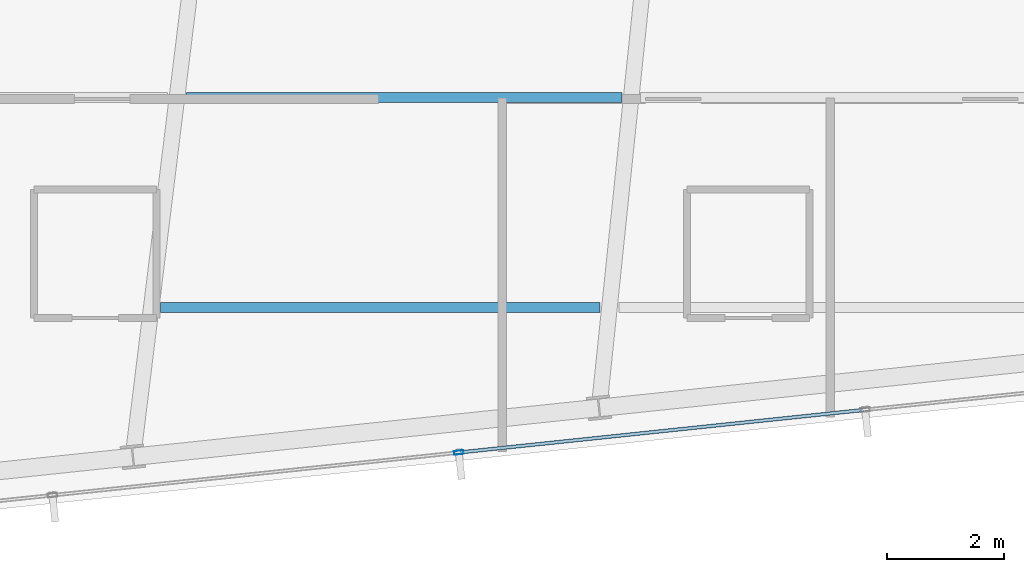
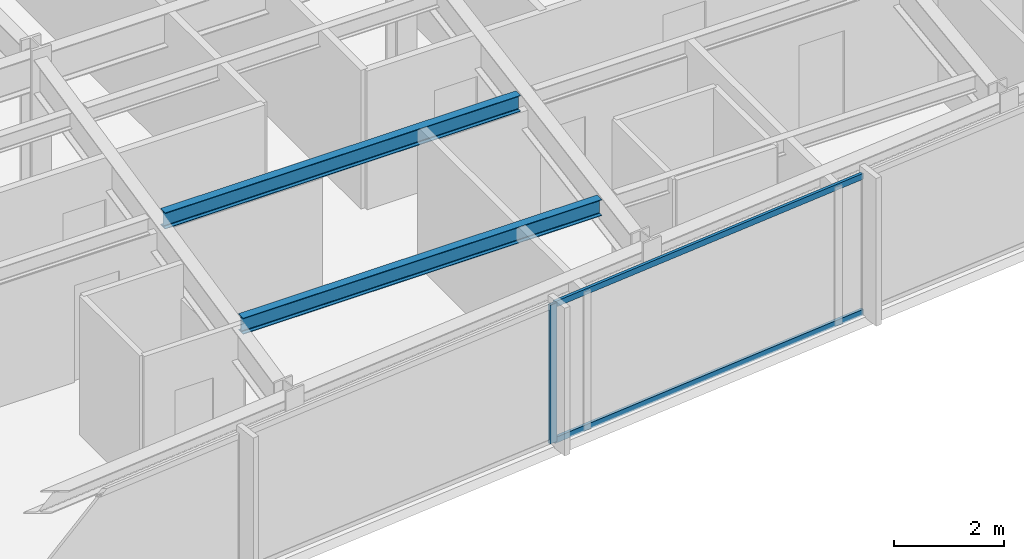
# One storey, part 7 of 32: 3 members, 2 beams, 1 element without a shape of its own.
"""IFC4 building model written with IfcOpenShell, lengths in metres."""

import ifcopenshell
import ifcopenshell.guid

model = None  # the IFC model being written
_history = None  # IfcOwnerHistory: only IFC2X3 demands one
_inside = {}  # id of a spatial element -> (the spatial element, [elements in it])
_under = {}  # id of a project, library or spatial element -> (it, [spatial elements below it])
_declared = {}  # id of a project -> (the project, [libraries it declares])
_typed = {}  # id of a type object -> (the type object, [elements of that type])
_made_of = {}  # id of a material, layer set ... -> (it, [elements and type objects made of it])


def new_model(schema):
    """Start an empty IFC model of exactly this schema.

    Asked for "IFC4X3", IfcOpenShell would pick the latest addendum, in which some entities
    have other attributes; the version numbers below select the first issue.
    IFC2X3 requires an IfcOwnerHistory on every rooted entity: one is made here for all.
    """
    global model, _history
    if schema == "IFC4X3":
        model = ifcopenshell.file(schema_version=(4, 3, 0, 0))
    else:
        model = ifcopenshell.file(schema=schema)
    _inside.clear()
    _under.clear()
    _declared.clear()
    _typed.clear()
    _made_of.clear()
    _history = None
    if model.schema == "IFC2X3":
        org = make("IfcOrganization", Name="unknown")
        user = make(
            "IfcPersonAndOrganization",
            ThePerson=make("IfcPerson", FamilyName="unknown"),
            TheOrganization=org,
        )
        app = make(
            "IfcApplication",
            ApplicationDeveloper=org,
            Version="unknown",
            ApplicationFullName="unknown",
            ApplicationIdentifier="unknown",
        )
        _history = make(
            "IfcOwnerHistory",
            OwningUser=user,
            OwningApplication=app,
            ChangeAction="ADDED",
            CreationDate=0,
        )
    return model


def make(cls, **values):
    """One entity of the class cls with the attributes given. An attribute that is None is left unset."""
    return model.create_entity(
        cls, **{name: value for name, value in values.items() if value is not None}
    )


def rooted(cls, **values):
    """An entity with a GlobalId (a new one), such as an element, a storey or a relation."""
    return make(cls, GlobalId=ifcopenshell.guid.new(), OwnerHistory=_history, **values)


def si_unit(unit_type, name, prefix=None):
    """IfcSIUnit, for example si_unit("LENGTHUNIT", "METRE", prefix="MILLI")."""
    return make("IfcSIUnit", UnitType=unit_type, Prefix=prefix, Name=name)


def assignment(units):
    """IfcUnitAssignment: the units of a project."""
    return None if units is None else make("IfcUnitAssignment", Units=units)


def point(xyz):
    """IfcCartesianPoint."""
    return None if xyz is None else make("IfcCartesianPoint", Coordinates=xyz)


def direction(xyz):
    """IfcDirection."""
    return None if xyz is None else make("IfcDirection", DirectionRatios=xyz)


def frame(location, z_axis=None, x_axis=None):
    """IfcAxis2Placement3D, a coordinate frame: its origin and axes. An axis left out is left unset."""
    return make(
        "IfcAxis2Placement3D",
        Location=point(location),
        Axis=direction(z_axis),
        RefDirection=direction(x_axis),
    )


def frame_2d(location, x_axis=None):
    """IfcAxis2Placement2D, a coordinate frame in the plane: its origin and x axis."""
    return make(
        "IfcAxis2Placement2D", Location=point(location), RefDirection=direction(x_axis)
    )


def origin():
    """The frame at (0, 0, 0) with its axes left unset."""
    return frame((0.0, 0.0, 0.0))


def origin_2d():
    """The frame at (0, 0) in the plane with its x axis left unset."""
    return frame_2d((0.0, 0.0))


def place(relative_to, where):
    """IfcLocalPlacement: puts the frame where relative to a parent placement (None: the world)."""
    return make(
        "IfcLocalPlacement", PlacementRelTo=relative_to, RelativePlacement=where
    )


def context(
    kind, dimensions, precision=None, world=None, true_north=None, identifier=None
):
    """IfcGeometricRepresentationContext, for example the 3D "Model" context."""
    return make(
        "IfcGeometricRepresentationContext",
        ContextIdentifier=identifier,
        ContextType=kind,
        CoordinateSpaceDimension=dimensions,
        Precision=precision,
        WorldCoordinateSystem=world,
        TrueNorth=true_north,
    )


def subcontext(parent, identifier, kind, view, scale=None):
    """IfcGeometricRepresentationSubContext, for example "Body" below "Model"."""
    return make(
        "IfcGeometricRepresentationSubContext",
        ContextIdentifier=identifier,
        ContextType=kind,
        ParentContext=parent,
        TargetScale=scale,
        TargetView=view,
    )


def project(units=None, contexts=None):
    """IfcProject with its units and contexts."""
    return rooted(
        "IfcProject",
        Name="project",
        RepresentationContexts=contexts,
        UnitsInContext=assignment(units),
    )


def spatial(cls, under=None, at=None, **own):
    """A site, building, storey or space (cls), placed at a placement, below another one or the project."""
    s = rooted(cls, ObjectPlacement=at, **own)
    if under is not None:
        _under.setdefault(under.id(), (under, []))[1].append(s)
    return s


def profile(cls, at=None, kind="AREA", **sizes):
    """A parametric profile (cls). Its sizes go by their IFC names, for example OverallWidth=200.0."""
    return make(cls, ProfileType=kind, Position=at, **sizes)


def hollow_rectangle(**sizes):
    """IfcRectangleHollowProfileDef."""
    return profile("IfcRectangleHollowProfileDef", **sizes)


def i_section(**sizes):
    """IfcIShapeProfileDef."""
    return profile("IfcIShapeProfileDef", **sizes)


def extrude(swept, where, along, depth):
    """IfcExtrudedAreaSolid: the profile swept, set in the frame where, extruded along a direction by depth."""
    return make(
        "IfcExtrudedAreaSolid",
        SweptArea=swept,
        Position=where,
        ExtrudedDirection=direction(along),
        Depth=depth,
    )


def shape(context_of_items, identifier, shape_type, items):
    """IfcShapeRepresentation: the items that make up one representation, for example the "Body"."""
    return make(
        "IfcShapeRepresentation",
        ContextOfItems=context_of_items,
        RepresentationIdentifier=identifier,
        RepresentationType=shape_type,
        Items=items,
    )


def material(Name=None, Category=None):
    """IfcMaterial."""
    return make("IfcMaterial", Name=Name, Category=Category)


def material_profile(
    of_material, cross_section, Name=None, Category=None, Priority=None
):
    """IfcMaterialProfile: a cross section and its material."""
    return make(
        "IfcMaterialProfile",
        Name=Name,
        Material=of_material,
        Profile=cross_section,
        Priority=Priority,
        Category=Category,
    )


def profile_set(profiles, Name=None, composite=None):
    """IfcMaterialProfileSet."""
    return make(
        "IfcMaterialProfileSet",
        Name=Name,
        MaterialProfiles=profiles,
        CompositeProfile=composite,
    )


def made_of(thing, what):
    """Note that an element or type object is made of a material, layer set ...; save() writes the relation."""
    if what is not None:
        _made_of.setdefault(what.id(), (what, []))[1].append(thing)
    return thing


def type_object(cls, material=None, **own):
    """A type object (cls), such as IfcWallType, which elements share."""
    return made_of(rooted(cls, **own), material)


def element(
    cls,
    number,
    at=None,
    inside=None,
    cuts=None,
    type_object=None,
    material=None,
    context=None,
    identifier="Body",
    shape_type=None,
    held_by="IfcProductDefinitionShape",
    body=None,
    shapes=None,
    **own,
):
    """One element of the class cls, such as IfcWall. Its Tag is "e" and its number.

    at: its placement. inside: the storey or other place that contains it. cuts: it is an
    opening in that element (IfcRelVoidsElement). A single representation is given by context,
    identifier, shape_type and body (its items); several are given by shapes. held_by: the class
    of the entity that holds the representations. save() writes the other relations.
    """
    e = rooted(cls, Tag="e%d" % number, ObjectPlacement=at, **own)
    if body is not None:
        shapes = [shape(context, identifier, shape_type, body)]
    if shapes is not None:
        e.Representation = make(held_by, Representations=shapes)
    if inside is not None:
        _inside.setdefault(inside.id(), (inside, []))[1].append(e)
    if cuts is not None:
        rooted(
            "IfcRelVoidsElement", RelatingBuildingElement=cuts, RelatedOpeningElement=e
        )
    if type_object is not None:
        _typed.setdefault(type_object.id(), (type_object, []))[1].append(e)
    return made_of(e, material)


def aggregate(whole, parts):
    """IfcRelAggregates: a whole, such as a stair, and the parts it consists of."""
    return rooted("IfcRelAggregates", RelatingObject=whole, RelatedObjects=parts)


def save(model, path):
    """Write the relations noted so far, then the file.

    IfcRelAggregates (storeys below a building ...), IfcRelContainedInSpatialStructure (elements
    in a storey), IfcRelDefinesByType, IfcRelAssociatesMaterial and IfcRelDeclares: one each for
    every whole, place, type object, material and project.
    """
    for whole, parts in _under.values():
        aggregate(whole, parts)
    for where, things in _inside.values():
        rooted(
            "IfcRelContainedInSpatialStructure",
            RelatedElements=things,
            RelatingStructure=where,
        )
    for kind, things in _typed.values():
        rooted("IfcRelDefinesByType", RelatedObjects=things, RelatingType=kind)
    for what, things in _made_of.values():
        rooted("IfcRelAssociatesMaterial", RelatedObjects=things, RelatingMaterial=what)
    for by, libraries in _declared.values():
        rooted("IfcRelDeclares", RelatingContext=by, RelatedDefinitions=libraries)
    model.write(path)


model = new_model("IFC4")

# Units and contexts
model_context = context("Model", 3, precision=1e-05, world=origin(), true_north=direction((0.0, 1.0)))
body_context = subcontext(model_context, "Body", "Model", "MODEL_VIEW")
ifc_project = project(units=[si_unit("LENGTHUNIT", "METRE"), si_unit("AREAUNIT", "SQUARE_METRE"), si_unit("VOLUMEUNIT", "CUBIC_METRE"), si_unit("PLANEANGLEUNIT", "RADIAN"), si_unit("MASSUNIT", "GRAM", prefix="KILO")], contexts=[model_context])

# Site, building, storey
site_placement = place(None, origin())
site = spatial("IfcSite", under=ifc_project, at=site_placement, CompositionType="ELEMENT")
building_placement = place(site_placement, origin())
building = spatial("IfcBuilding", under=site, at=building_placement, Name="Yelkora Congress Tower", CompositionType="ELEMENT")
storey_placement = place(building_placement, frame((0.0, 0.0, 214.39990234375)))
storey = spatial("IfcBuildingStorey", under=building, at=storey_placement, Name="L59", CompositionType="ELEMENT", Elevation=214.39990234375)

# Beams
ifc_material_1 = material(Name="Steel S355J2", Category="steel")
ifc_material_profile_1 = material_profile(ifc_material_1, i_section(OverallWidth=0.169921875, OverallDepth=0.360107421875, WebThickness=0.008056640625, FlangeThickness=0.0126953125, FilletRadius=0.01806640625, at=origin_2d()), Name="IPE 360")
ifc_profile_set_1 = profile_set([ifc_material_profile_1], Name="Steel S355J2")
beam_type = type_object("IfcBeamType", Name="BM-JOIST-IPE360", PredefinedType="JOIST", material=ifc_profile_set_1)
beam_1_placement = place(storey_placement, frame((29.76220703125, 16.07861328125, 2.900146484375), z_axis=(1.0, 0.0, 0.0), x_axis=(0.0, 1.0, 0.0)))
element("IfcBeam", 1, at=beam_1_placement, inside=storey, type_object=beam_type, Name="L59 Composite Floor Joist 1", PredefinedType="JOIST", context=body_context, shape_type="SweptSolid", body=[
    extrude(i_section(OverallWidth=0.169921875, OverallDepth=0.360107421875, WebThickness=0.008056640625, FlangeThickness=0.0126953125, FilletRadius=0.01806640625, at=origin_2d()), origin(), (0.0, 0.0, 1.0), 7.53369140625),
])
beam_2_placement = place(storey_placement, frame((30.203369140625, 19.678466796875, 2.900146484375), z_axis=(1.0, 0.0, 0.0), x_axis=(0.0, 1.0, 0.0)))
element("IfcBeam", 2, at=beam_2_placement, inside=storey, type_object=beam_type, Name="L59 Composite Floor Joist 4", PredefinedType="JOIST", context=body_context, shape_type="SweptSolid", body=[
    extrude(i_section(OverallWidth=0.169921875, OverallDepth=0.360107421875, WebThickness=0.008056640625, FlangeThickness=0.0126953125, FilletRadius=0.01806640625, at=origin_2d()), origin(), (0.0, 0.0, 1.0), 7.465087890625),
])

# Curtain wall, members
ifc_material_2 = material(Name="Anodised aluminium and insulated glass", Category="aluminium")
curtain_wall_type = type_object("IfcCurtainWallType", Name="CW-SYS-B4", PredefinedType="NOTDEFINED", material=ifc_material_2)
curtain_wall_placement = place(storey_placement, origin())
curtain_wall = element("IfcCurtainWall", 3, at=curtain_wall_placement, inside=storey, type_object=curtain_wall_type, Name="L59 Unitised Curtain Wall 20", PredefinedType="NOTDEFINED")
ifc_material_3 = material(Name="Anodised aluminium 6063-T6", Category="aluminium")
ifc_material_profile_2 = material_profile(ifc_material_3, hollow_rectangle(XDim=0.06494140625, YDim=0.159912109375, WallThickness=0.00390625, at=origin_2d()), Name="ALU 65x160x4")
ifc_profile_set_2 = profile_set([ifc_material_profile_2], Name="Anodised aluminium 6063-T6")
member_type_1 = type_object("IfcMemberType", Name="MEM-ML-B4", PredefinedType="MULLION", material=ifc_profile_set_2)
member_1_placement = place(storey_placement, frame((34.87353515625, 13.592529296875, 0.0), z_axis=(0.0, 0.0, 1.0), x_axis=(0.104526664994, -0.994522084373, 0.0)))
member_1 = element("IfcMember", 4, at=member_1_placement, type_object=member_type_1, Name="CW-B4 mullion 6", PredefinedType="MULLION", context=body_context, shape_type="SweptSolid", body=[
    extrude(hollow_rectangle(XDim=0.06494140625, YDim=0.159912109375, WallThickness=0.00390625, at=origin_2d()), origin(), (0.0, 0.0, 1.0), 3.080078125),
])
ifc_material_profile_3 = material_profile(ifc_material_3, hollow_rectangle(XDim=0.06005859375, YDim=0.1298828125, WallThickness=0.00390625, at=origin_2d()), Name="ALU 60x130x4")
ifc_profile_set_3 = profile_set([ifc_material_profile_3], Name="Anodised aluminium 6063-T6")
member_type_2 = type_object("IfcMemberType", Name="MEM-TR-B4", PredefinedType="USERDEFINED", material=ifc_profile_set_3)
member_2_placement = place(storey_placement, frame((41.8056640625, 14.321044921875, 0.030029296875), z_axis=(-0.99452317859, -0.104516253509, 0.0), x_axis=(0.104516253509, -0.99452317859, 0.0)))
member_2 = element("IfcMember", 5, at=member_2_placement, type_object=member_type_2, Name="CW-B4 transom 5.1", ObjectType="TRANSOM", PredefinedType="USERDEFINED", context=body_context, shape_type="SweptSolid", body=[
    extrude(hollow_rectangle(XDim=0.06005859375, YDim=0.1298828125, WallThickness=0.00390625, at=origin_2d()), origin(), (0.0, 0.0, 1.0), 6.937744140625),
])
member_3_placement = place(storey_placement, frame((41.8056640625, 14.321044921875, 3.050048828125), z_axis=(-0.99452317859, -0.104516253509, 0.0), x_axis=(0.104516253509, -0.99452317859, 0.0)))
member_3 = element("IfcMember", 6, at=member_3_placement, type_object=member_type_2, Name="CW-B4 transom 5.2", ObjectType="TRANSOM", PredefinedType="USERDEFINED", context=body_context, shape_type="SweptSolid", body=[
    extrude(hollow_rectangle(XDim=0.06005859375, YDim=0.1298828125, WallThickness=0.00390625, at=origin_2d()), origin(), (0.0, 0.0, 1.0), 6.937744140625),
])
aggregate(curtain_wall, [member_1, member_2, member_3])

save(model, "model.ifc")
